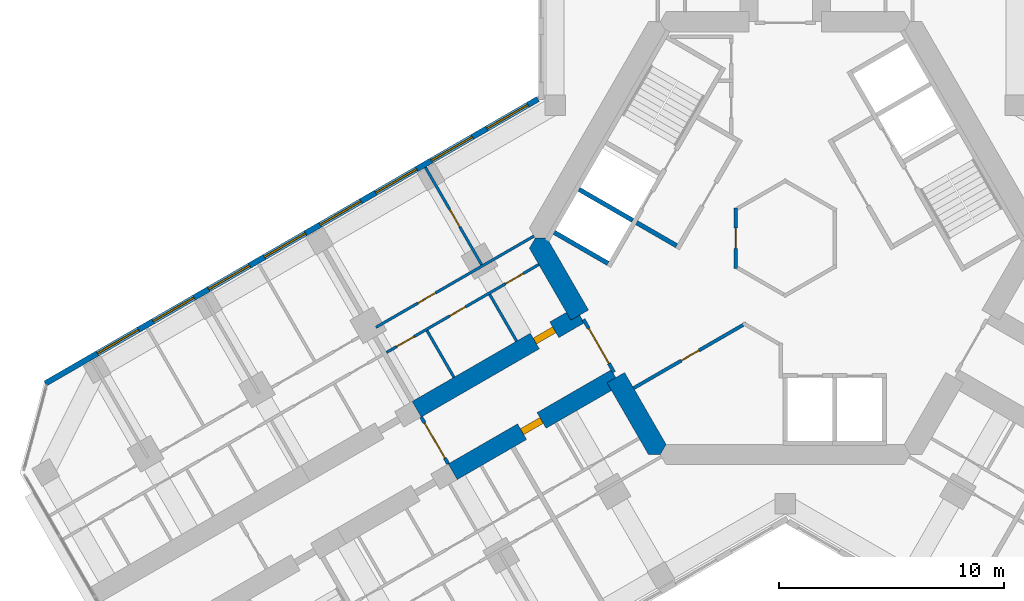
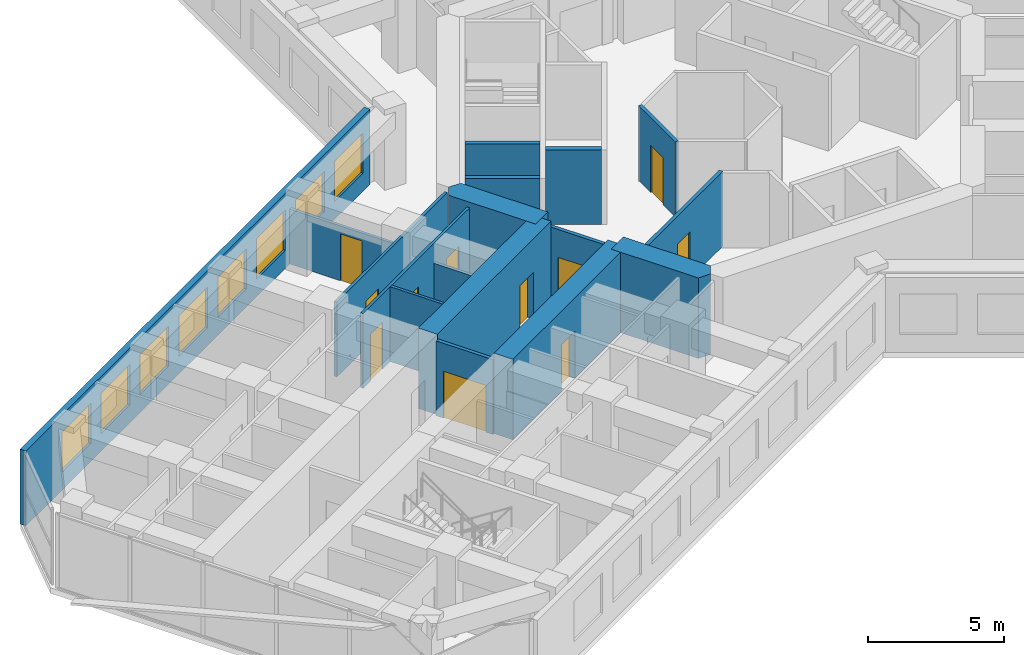
# One storey, part 12 of 19: 17 walls, 11 doors, 8 windows, 19 openings.
"""IFC4 building model written with IfcOpenShell, lengths in metres."""

from ifc_helpers import new_model, si_unit, direction, frame, frame_2d, origin, place, context, subcontext, project, spatial, polyline, rectangle, outline, extrude, material, layer, layer_set, type_object, element, fill, save


model = new_model("IFC4")

# Units and contexts
model_context = context("Model", 3, precision=1e-05, world=origin(), true_north=direction((0.0, 1.0)))
body_context = subcontext(model_context, "Body", "Model", "MODEL_VIEW")
ifc_project = project(units=[si_unit("LENGTHUNIT", "METRE"), si_unit("AREAUNIT", "SQUARE_METRE"), si_unit("VOLUMEUNIT", "CUBIC_METRE"), si_unit("PLANEANGLEUNIT", "RADIAN"), si_unit("MASSUNIT", "GRAM", prefix="KILO")], contexts=[model_context])

# Site, building, storey
site_placement = place(None, origin())
site = spatial("IfcSite", under=ifc_project, at=site_placement, CompositionType="ELEMENT")
building_placement = place(site_placement, origin())
building = spatial("IfcBuilding", under=site, at=building_placement, Name="Kosmar Iwan School Tower", CompositionType="ELEMENT")
storey_placement = place(building_placement, frame((0.0, 0.0, 145.39990234375)))
storey = spatial("IfcBuildingStorey", under=building, at=storey_placement, Name="L36", CompositionType="ELEMENT", Elevation=145.39990234375)

# Wall, opening, door
ifc_material_1 = material(Name="Gypsum board on steel studs, fire-rated", Category="steel")
ifc_layer_1 = layer(ifc_material_1, 0.14990234375)
ifc_layer_set_1 = layer_set([ifc_layer_1], Name="Core room partition 150")
wall_type_1 = type_object("IfcWallType", Name="Core room partition 150", PredefinedType="PARTITIONING", material=ifc_layer_set_1)
wall_1_placement = place(storey_placement, frame((-6.728515625, -6.656005859375, 0.0), z_axis=(0.0, 0.0, 1.0), x_axis=(0.866017062469, 0.500014447304, 0.0)))
wall_1 = element("IfcWall", 1, at=wall_1_placement, inside=storey, type_object=wall_type_1, Name="Core room partition L36-CW5", PredefinedType="PARTITIONING", context=body_context, shape_type="SweptSolid", body=[
    extrude(rectangle(XDim=5.765869140625, YDim=0.14990234375, at=frame_2d((2.8828125, 0.0))), origin(), (0.0, 0.0, 1.0), 3.35009765625),
])
opening_1_placement = place(wall_1_placement, frame((2.452880859375, 0.0, 0.0)))
opening_1 = element("IfcOpeningElement", 2, at=opening_1_placement, cuts=wall_1, Name="Opening D14", PredefinedType="OPENING", context=body_context, shape_type="SweptSolid", body=[
    extrude(rectangle(XDim=0.89990234375, YDim=2.10009765625, at=frame_2d((0.449951171875, 1.050048828125))), frame((0.0, 0.0869140625, 0.0), z_axis=(0.0, -1.0, 0.0), x_axis=(1.0, 0.0, 0.0)), (0.0, 0.0, 1.0), 0.173828125),
])
ifc_material_2 = material(Name="Timber fire door in steel frame", Category="steel")
door_type_1 = type_object("IfcDoorType", Name="Core room door 900x2100", OperationType="SINGLE_SWING_LEFT", PredefinedType="DOOR", material=ifc_material_2)
door_1_placement = place(opening_1_placement, origin())
door_1 = element("IfcDoor", 3, at=door_1_placement, inside=storey, type_object=door_type_1, Name="Refuse and recycling room door L36 3", OperationType="SINGLE_SWING_RIGHT", OverallHeight=2.10009765625, OverallWidth=0.89990234375, PredefinedType="DOOR", context=body_context, shape_type="SweptSolid", body=[
    extrude(rectangle(XDim=0.89990234375, YDim=2.10009765625, at=frame_2d((0.449951171875, 1.050048828125))), frame((0.0, 0.02490234375, 0.0), z_axis=(0.0, -1.0, 0.0), x_axis=(1.0, 0.0, 0.0)), (0.0, 0.0, 1.0), 0.050048828125),
])
fill(opening_1, door_1)

wall_2_placement = place(storey_placement, frame((-2.199951171875, -1.34521484375, 0.0), z_axis=(0.0, 0.0, 1.0), x_axis=(0.0, 1.0, 0.0)))
wall_2 = element("IfcWall", 4, at=wall_2_placement, inside=storey, type_object=wall_type_1, Name="Core room partition L36-CW10", PredefinedType="PARTITIONING", context=body_context, shape_type="SweptSolid", body=[
    extrude(rectangle(XDim=2.6904296875, YDim=0.14990234375, at=frame_2d((1.34521484375, 0.0))), origin(), (0.0, 0.0, 1.0), 3.35009765625),
])
opening_2_placement = place(wall_2_placement, frame((0.89501953125, 0.0, 0.0)))
opening_2 = element("IfcOpeningElement", 5, at=opening_2_placement, cuts=wall_2, Name="Opening D14", PredefinedType="OPENING", context=body_context, shape_type="SweptSolid", body=[
    extrude(rectangle(XDim=0.89990234375, YDim=2.10009765625, at=frame_2d((0.449951171875, 1.050048828125))), frame((0.0, 0.0869140625, 0.0), z_axis=(0.0, -1.0, 0.0), x_axis=(1.0, 0.0, 0.0)), (0.0, 0.0, 1.0), 0.173828125),
])
door_2_placement = place(opening_2_placement, origin())
door_2 = element("IfcDoor", 6, at=door_2_placement, inside=storey, type_object=door_type_1, Name="Bulky waste store door L36 4", OperationType="SINGLE_SWING_LEFT", OverallHeight=2.10009765625, OverallWidth=0.89990234375, PredefinedType="DOOR", context=body_context, shape_type="SweptSolid", body=[
    extrude(rectangle(XDim=0.89990234375, YDim=2.10009765625, at=frame_2d((0.449951171875, 1.050048828125))), frame((0.0, 0.02490234375, 0.0), z_axis=(0.0, -1.0, 0.0), x_axis=(1.0, 0.0, 0.0)), (0.0, 0.0, 1.0), 0.050048828125),
])
fill(opening_2, door_2)

# Walls
ifc_material_3 = material(Name="Concrete C50/60", Category="concrete")
ifc_layer_2 = layer(ifc_material_3, 0.89990234375)
ifc_layer_set_2 = layer_set([ifc_layer_2], Name="Core wall 900")
wall_type_2 = type_object("IfcWallType", Name="Core wall 900", PredefinedType="SHEAR", material=ifc_layer_set_2)
wall_3_placement = place(storey_placement, origin())
element("IfcWall", 7, at=wall_3_placement, inside=storey, type_object=wall_type_2, Name="Core wall F210a", PredefinedType="SHEAR", context=body_context, shape_type="SweptSolid", body=[
    extrude(outline(polyline([(-9.503662109375, -3.639404296875), (-8.72412109375, -3.189453125), (-10.5654296875, 0.0), (-11.085205078125, 0.0), (-11.344970703125, -0.449951171875), (-9.503662109375, -3.639404296875)])), origin(), (0.0, 0.0, 1.0), 3.60009765625),
])
wall_4_placement = place(storey_placement, origin())
element("IfcWall", 8, at=wall_4_placement, inside=storey, type_object=wall_type_2, Name="Core wall F210b", PredefinedType="SHEAR", context=body_context, shape_type="SweptSolid", body=[
    extrude(outline(polyline([(-6.062255859375, -9.60009765625), (-5.54248046875, -9.60009765625), (-5.28271484375, -9.14990234375), (-7.1240234375, -5.960693359375), (-7.903564453125, -6.41064453125), (-6.062255859375, -9.60009765625)])), origin(), (0.0, 0.0, 1.0), 3.60009765625),
])

# Wall, opening, door
ifc_material_4 = material(Name="Concrete C50/60", Category="concrete")
ifc_layer_3 = layer(ifc_material_4, 0.800048828125)
ifc_layer_set_3 = layer_set([ifc_layer_3], Name="Corridor buttress wall 800")
wall_type_3 = type_object("IfcWallType", Name="Corridor buttress wall 800", PredefinedType="SHEAR", material=ifc_layer_set_3)
wall_5_placement = place(storey_placement, frame((-7.513916015625, -6.185546875, 0.0), z_axis=(0.0, 0.0, 1.0), x_axis=(-0.866019549707, -0.500010139422, 0.0)))
wall_5 = element("IfcWall", 9, at=wall_5_placement, inside=storey, type_object=wall_type_3, Name="Corridor wall BL", PredefinedType="SHEAR", context=body_context, shape_type="SweptSolid", body=[
    extrude(rectangle(XDim=8.349853515625, YDim=0.800048828125, at=frame_2d((4.1748046875, 0.0))), origin(), (0.0, 0.0, 1.0), 3.60009765625),
])
opening_3_placement = place(wall_5_placement, frame((3.800048828125, 0.0, 0.0)))
opening_3 = element("IfcOpeningElement", 10, at=opening_3_placement, cuts=wall_5, Name="Opening D1", PredefinedType="OPENING", context=body_context, shape_type="SweptSolid", body=[
    extrude(rectangle(XDim=1.0, YDim=2.10009765625, at=frame_2d((0.5, 1.050048828125))), frame((0.0, 0.412109375, 0.0), z_axis=(0.0, -1.0, 0.0), x_axis=(1.0, 0.0, 0.0)), (0.0, 0.0, 1.0), 0.823974609375),
])
ifc_material_5 = material(Name="Timber fire door in steel frame", Category="steel")
door_type_2 = type_object("IfcDoorType", Name="Flat entrance door 1000x2100", OperationType="SINGLE_SWING_LEFT", PredefinedType="DOOR", material=ifc_material_5)
door_3_placement = place(opening_3_placement, origin())
door_3 = element("IfcDoor", 11, at=door_3_placement, inside=storey, type_object=door_type_2, Name="Flat L36-BL1 entrance door", OperationType="SINGLE_SWING_LEFT", OverallHeight=2.10009765625, OverallWidth=1.0, PredefinedType="DOOR", context=body_context, shape_type="SweptSolid", body=[
    extrude(rectangle(XDim=1.0, YDim=2.10009765625, at=frame_2d((0.5, 1.050048828125))), frame((0.0, 0.14990234375, 0.0), z_axis=(0.0, -1.0, 0.0), x_axis=(1.0, 0.0, 0.0)), (0.0, 0.0, 1.0), 0.300048828125),
])
fill(opening_3, door_3)

wall_6_placement = place(storey_placement, frame((-9.11376953125, -3.414306640625, 0.0), z_axis=(0.0, 0.0, 1.0), x_axis=(-0.866026859388, -0.499997478812, 0.0)))
wall_6 = element("IfcWall", 12, at=wall_6_placement, inside=storey, type_object=wall_type_3, Name="Corridor wall BR", PredefinedType="SHEAR", context=body_context, shape_type="SweptSolid", body=[
    extrude(rectangle(XDim=8.35009765625, YDim=0.800048828125, at=frame_2d((4.175048828125, 0.0))), origin(), (0.0, 0.0, 1.0), 3.60009765625),
])
opening_4_placement = place(wall_6_placement, frame((1.300048828125, 0.0, 0.0)))
opening_4 = element("IfcOpeningElement", 13, at=opening_4_placement, cuts=wall_6, Name="Opening D1", PredefinedType="OPENING", context=body_context, shape_type="SweptSolid", body=[
    extrude(rectangle(XDim=1.0, YDim=2.10009765625, at=frame_2d((0.5, 1.050048828125))), frame((0.0, 0.412109375, 0.0), z_axis=(0.0, -1.0, 0.0), x_axis=(1.0, 0.0, 0.0)), (0.0, 0.0, 1.0), 0.823974609375),
])
door_4_placement = place(opening_4_placement, origin())
door_4 = element("IfcDoor", 14, at=door_4_placement, inside=storey, type_object=door_type_2, Name="Flat L36-BR1 entrance door", OperationType="SINGLE_SWING_LEFT", OverallHeight=2.10009765625, OverallWidth=1.0, PredefinedType="DOOR", context=body_context, shape_type="SweptSolid", body=[
    extrude(rectangle(XDim=1.0, YDim=2.10009765625, at=frame_2d((0.5, 1.050048828125))), frame((0.0, 0.14990234375, 0.0), z_axis=(0.0, -1.0, 0.0), x_axis=(1.0, 0.0, 0.0)), (0.0, 0.0, 1.0), 0.300048828125),
])
fill(opening_4, door_4)

ifc_material_6 = material(Name="Gypsum board on steel studs, fire-rated", Category="steel")
ifc_layer_4 = layer(ifc_material_6, 0.14990234375)
ifc_layer_set_4 = layer_set([ifc_layer_4], Name="Corridor end wall 150")
wall_type_4 = type_object("IfcWallType", Name="Corridor end wall 150", PredefinedType="PARTITIONING", material=ifc_layer_set_4)
wall_7_placement = place(storey_placement, frame((-16.145263671875, -7.935791015625, 0.0), z_axis=(0.0, 0.0, 1.0), x_axis=(0.500077600433, -0.865980596518, 0.0)))
wall_7 = element("IfcWall", 15, at=wall_7_placement, inside=storey, type_object=wall_type_4, Name="Partition L36-B-HW", PredefinedType="PARTITIONING", context=body_context, shape_type="SweptSolid", body=[
    extrude(rectangle(XDim=2.39990234375, YDim=0.14990234375, at=frame_2d((1.199951171875, 0.0))), origin(), (0.0, 0.0, 1.0), 3.35009765625),
])
opening_5_placement = place(wall_7_placement, frame((0.300048828125, 0.0, 0.0)))
opening_5 = element("IfcOpeningElement", 16, at=opening_5_placement, cuts=wall_7, Name="Opening D9", PredefinedType="OPENING", context=body_context, shape_type="SweptSolid", body=[
    extrude(rectangle(XDim=1.800048828125, YDim=2.10009765625, at=frame_2d((0.89990234375, 1.050048828125))), frame((0.0, 0.0869140625, 0.0), z_axis=(0.0, -1.0, 0.0), x_axis=(1.0, 0.0, 0.0)), (0.0, 0.0, 1.0), 0.173828125),
])
ifc_material_7 = material(Name="Steel framed glazed smoke door", Category="steel")
door_type_3 = type_object("IfcDoorType", Name="Corridor smoke door pair 1800x2100", OperationType="DOUBLE_DOOR_DOUBLE_SWING", PredefinedType="DOOR", material=ifc_material_7)
door_5_placement = place(opening_5_placement, origin())
door_5 = element("IfcDoor", 17, at=door_5_placement, inside=storey, type_object=door_type_3, Name="Hashti vestibule smoke doors L36-B", OperationType="DOUBLE_DOOR_DOUBLE_SWING", OverallHeight=2.10009765625, OverallWidth=1.800048828125, PredefinedType="DOOR", context=body_context, shape_type="SweptSolid", body=[
    extrude(rectangle(XDim=1.800048828125, YDim=2.10009765625, at=frame_2d((0.89990234375, 1.050048828125))), frame((0.0, 0.02490234375, 0.0), z_axis=(0.0, -1.0, 0.0), x_axis=(1.0, 0.0, 0.0)), (0.0, 0.0, 1.0), 0.050048828125),
])
fill(opening_5, door_5)

ifc_material_8 = material(Name="Steel framed glazed screen", Category="steel")
ifc_layer_5 = layer(ifc_material_8, 0.14990234375)
ifc_layer_set_5 = layer_set([ifc_layer_5], Name="Corridor screen wall 150")
wall_type_5 = type_object("IfcWallType", Name="Corridor screen wall 150", PredefinedType="PARTITIONING", material=ifc_layer_set_5)
wall_8_placement = place(storey_placement, frame((-8.945556640625, -3.60595703125, 0.0), z_axis=(0.0, 0.0, 1.0), x_axis=(0.500048589285, -0.86599734893, 0.0)))
wall_8 = element("IfcWall", 18, at=wall_8_placement, inside=storey, type_object=wall_type_5, Name="Corridor screen B L36", PredefinedType="PARTITIONING", context=body_context, shape_type="SweptSolid", body=[
    extrude(rectangle(XDim=2.699951171875, YDim=0.14990234375, at=frame_2d((1.35009765625, 0.0))), origin(), (0.0, 0.0, 1.0), 3.35009765625),
])
opening_6_placement = place(wall_8_placement, frame((0.449951171875, 0.0, 0.0)))
opening_6 = element("IfcOpeningElement", 19, at=opening_6_placement, cuts=wall_8, Name="Opening D9", PredefinedType="OPENING", context=body_context, shape_type="SweptSolid", body=[
    extrude(rectangle(XDim=1.800048828125, YDim=2.10009765625, at=frame_2d((0.89990234375, 1.050048828125))), frame((0.0, 0.0869140625, 0.0), z_axis=(0.0, -1.0, 0.0), x_axis=(1.0, 0.0, 0.0)), (0.0, 0.0, 1.0), 0.173828125),
])
door_6_placement = place(opening_6_placement, origin())
door_6 = element("IfcDoor", 20, at=door_6_placement, inside=storey, type_object=door_type_3, Name="Corridor doors B L36", OperationType="DOUBLE_DOOR_DOUBLE_SWING", OverallHeight=2.10009765625, OverallWidth=1.800048828125, PredefinedType="DOOR", context=body_context, shape_type="SweptSolid", body=[
    extrude(rectangle(XDim=1.800048828125, YDim=2.10009765625, at=frame_2d((0.89990234375, 1.050048828125))), frame((0.0, 0.02490234375, 0.0), z_axis=(0.0, -1.0, 0.0), x_axis=(1.0, 0.0, 0.0)), (0.0, 0.0, 1.0), 0.050048828125),
])
fill(opening_6, door_6)

# Wall, openings, doors
ifc_material_9 = material(Name="Gypsum board on steel studs", Category="steel")
ifc_layer_6 = layer(ifc_material_9, 0.1201171875)
ifc_layer_set_6 = layer_set([ifc_layer_6], Name="Dwelling partition 120")
wall_type_6 = type_object("IfcWallType", Name="Dwelling partition 120", PredefinedType="PARTITIONING", material=ifc_layer_set_6)
wall_9_placement = place(storey_placement, frame((-10.928466796875, -1.171142578125, 0.0), z_axis=(0.0, 0.0, 1.0), x_axis=(-0.866021400173, -0.500006934395, 0.0)))
wall_9 = element("IfcWall", 21, at=wall_9_placement, inside=storey, type_object=wall_type_6, Name="Partition L36-BR1-W1", PredefinedType="PARTITIONING", context=body_context, shape_type="SweptSolid", body=[
    extrude(rectangle(XDim=7.80029296875, YDim=0.1201171875, at=frame_2d((3.900146484375, 0.0))), origin(), (0.0, 0.0, 1.0), 3.35009765625),
])
opening_7_placement = place(wall_9_placement, frame((0.800048828125, 0.0, 0.0)))
opening_7 = element("IfcOpeningElement", 22, at=opening_7_placement, cuts=wall_9, Name="Opening D2", PredefinedType="OPENING", context=body_context, shape_type="SweptSolid", body=[
    extrude(rectangle(XDim=0.89990234375, YDim=2.10009765625, at=frame_2d((0.449951171875, 1.050048828125))), frame((0.0, 0.072021484375, 0.0), z_axis=(0.0, -1.0, 0.0), x_axis=(1.0, 0.0, 0.0)), (0.0, 0.0, 1.0), 0.14404296875),
])
opening_8_placement = place(wall_9_placement, frame((3.755126953125, 0.0, 0.0)))
opening_8 = element("IfcOpeningElement", 23, at=opening_8_placement, cuts=wall_9, Name="Opening D3", PredefinedType="OPENING", context=body_context, shape_type="SweptSolid", body=[
    extrude(rectangle(XDim=0.800048828125, YDim=2.10009765625, at=frame_2d((0.39990234375, 1.050048828125))), frame((0.0, 0.072021484375, 0.0), z_axis=(0.0, -1.0, 0.0), x_axis=(1.0, 0.0, 0.0)), (0.0, 0.0, 1.0), 0.14404296875),
])
opening_9_placement = place(wall_9_placement, frame((6.380126953125, 0.0, 0.0)))
opening_9 = element("IfcOpeningElement", 24, at=opening_9_placement, cuts=wall_9, Name="Opening D2", PredefinedType="OPENING", context=body_context, shape_type="SweptSolid", body=[
    extrude(rectangle(XDim=0.89990234375, YDim=2.10009765625, at=frame_2d((0.449951171875, 1.050048828125))), frame((0.0, 0.072021484375, 0.0), z_axis=(0.0, -1.0, 0.0), x_axis=(1.0, 0.0, 0.0)), (0.0, 0.0, 1.0), 0.14404296875),
])
ifc_material_10 = material(Name="Timber door in timber frame", Category="wood")
door_type_4 = type_object("IfcDoorType", Name="Internal door 900x2100", OperationType="SINGLE_SWING_LEFT", PredefinedType="DOOR", material=ifc_material_10)
door_7_placement = place(opening_7_placement, origin())
door_7 = element("IfcDoor", 25, at=door_7_placement, inside=storey, type_object=door_type_4, Name="Entrance hall door L36-BR1-S1", OperationType="SINGLE_SWING_RIGHT", OverallHeight=2.10009765625, OverallWidth=0.89990234375, PredefinedType="DOOR", context=body_context, shape_type="SweptSolid", body=[
    extrude(rectangle(XDim=0.89990234375, YDim=2.10009765625, at=frame_2d((0.449951171875, 1.050048828125))), frame((0.0, 0.02490234375, 0.0), z_axis=(0.0, -1.0, 0.0), x_axis=(1.0, 0.0, 0.0)), (0.0, 0.0, 1.0), 0.050048828125),
])
fill(opening_7, door_7)
door_8_placement = place(opening_9_placement, origin())
door_8 = element("IfcDoor", 26, at=door_8_placement, inside=storey, type_object=door_type_4, Name="Pantry door L36-BR1-S3", OperationType="SINGLE_SWING_RIGHT", OverallHeight=2.10009765625, OverallWidth=0.89990234375, PredefinedType="DOOR", context=body_context, shape_type="SweptSolid", body=[
    extrude(rectangle(XDim=0.89990234375, YDim=2.10009765625, at=frame_2d((0.449951171875, 1.050048828125))), frame((0.0, 0.02490234375, 0.0), z_axis=(0.0, -1.0, 0.0), x_axis=(1.0, 0.0, 0.0)), (0.0, 0.0, 1.0), 0.050048828125),
])
fill(opening_9, door_8)
ifc_material_11 = material(Name="Timber door in timber frame", Category="wood")
door_type_5 = type_object("IfcDoorType", Name="Sanitary room door 800x2100", OperationType="SINGLE_SWING_LEFT", PredefinedType="DOOR", material=ifc_material_11)
door_9_placement = place(opening_8_placement, origin())
door_9 = element("IfcDoor", 27, at=door_9_placement, inside=storey, type_object=door_type_5, Name="Bathroom door L36-BR1-S2", OperationType="SINGLE_SWING_LEFT", OverallHeight=2.10009765625, OverallWidth=0.800048828125, PredefinedType="DOOR", context=body_context, shape_type="SweptSolid", body=[
    extrude(rectangle(XDim=0.800048828125, YDim=2.10009765625, at=frame_2d((0.39990234375, 1.050048828125))), frame((0.0, 0.02490234375, 0.0), z_axis=(0.0, -1.0, 0.0), x_axis=(1.0, 0.0, 0.0)), (0.0, 0.0, 1.0), 0.050048828125),
])
fill(opening_8, door_9)

# Wall, opening, door
wall_10_placement = place(storey_placement, frame((-11.138916015625, 0.093017578125, 0.0), z_axis=(0.0, 0.0, 1.0), x_axis=(-0.866017937352, -0.500012932018, 0.0)))
wall_10 = element("IfcWall", 28, at=wall_10_placement, inside=storey, type_object=wall_type_6, Name="Partition L36-BR1-W2", PredefinedType="PARTITIONING", context=body_context, shape_type="SweptSolid", body=[
    extrude(rectangle(XDim=8.099853515625, YDim=0.1201171875, at=frame_2d((4.0498046875, 0.0))), origin(), (0.0, 0.0, 1.0), 3.35009765625),
])
opening_10_placement = place(wall_10_placement, frame((5.050048828125, 0.0, 0.0)))
opening_10 = element("IfcOpeningElement", 29, at=opening_10_placement, cuts=wall_10, Name="Opening D2", PredefinedType="OPENING", context=body_context, shape_type="SweptSolid", body=[
    extrude(rectangle(XDim=0.89990234375, YDim=2.10009765625, at=frame_2d((0.449951171875, 1.050048828125))), frame((0.0, 0.072021484375, 0.0), z_axis=(0.0, -1.0, 0.0), x_axis=(1.0, 0.0, 0.0)), (0.0, 0.0, 1.0), 0.14404296875),
])
door_10_placement = place(opening_10_placement, origin())
door_10 = element("IfcDoor", 30, at=door_10_placement, inside=storey, type_object=door_type_4, Name="Studio living room door L36-BR1-F2", OperationType="SINGLE_SWING_RIGHT", OverallHeight=2.10009765625, OverallWidth=0.89990234375, PredefinedType="DOOR", context=body_context, shape_type="SweptSolid", body=[
    extrude(rectangle(XDim=0.89990234375, YDim=2.10009765625, at=frame_2d((0.449951171875, 1.050048828125))), frame((0.0, 0.02490234375, 0.0), z_axis=(0.0, -1.0, 0.0), x_axis=(1.0, 0.0, 0.0)), (0.0, 0.0, 1.0), 0.050048828125),
])
fill(opening_10, door_10)

wall_11_placement = place(storey_placement, frame((-13.4638671875, -1.179931640625, 0.0), z_axis=(0.0, 0.0, 1.0), x_axis=(-0.499975153383, 0.86603974851, 0.0)))
wall_11 = element("IfcWall", 31, at=wall_11_placement, inside=storey, type_object=wall_type_6, Name="Partition L36-BR1-X1", PredefinedType="PARTITIONING", context=body_context, shape_type="SweptSolid", body=[
    extrude(rectangle(XDim=4.989990234375, YDim=0.1201171875, at=frame_2d((2.4951171875, 0.0))), origin(), (0.0, 0.0, 1.0), 2.4501953125),
])
opening_11_placement = place(wall_11_placement, frame((1.93994140625, 0.0, 0.0)))
opening_11 = element("IfcOpeningElement", 32, at=opening_11_placement, cuts=wall_11, Name="Opening D2", PredefinedType="OPENING", context=body_context, shape_type="SweptSolid", body=[
    extrude(rectangle(XDim=0.89990234375, YDim=2.10009765625, at=frame_2d((0.449951171875, 1.050048828125))), frame((0.0, 0.072021484375, 0.0), z_axis=(0.0, -1.0, 0.0), x_axis=(1.0, 0.0, 0.0)), (0.0, 0.0, 1.0), 0.14404296875),
])
door_11_placement = place(opening_11_placement, origin())
door_11 = element("IfcDoor", 33, at=door_11_placement, inside=storey, type_object=door_type_4, Name="Kitchen and dining room door L36-BR1-F1", OperationType="SINGLE_SWING_LEFT", OverallHeight=2.10009765625, OverallWidth=0.89990234375, PredefinedType="DOOR", context=body_context, shape_type="SweptSolid", body=[
    extrude(rectangle(XDim=0.89990234375, YDim=2.10009765625, at=frame_2d((0.449951171875, 1.050048828125))), frame((0.0, 0.02490234375, 0.0), z_axis=(0.0, -1.0, 0.0), x_axis=(1.0, 0.0, 0.0)), (0.0, 0.0, 1.0), 0.050048828125),
])
fill(opening_11, door_11)

# Walls
wall_12_placement = place(storey_placement, frame((-11.911865234375, -4.56787109375, 0.0), z_axis=(0.0, 0.0, 1.0), x_axis=(-0.500017192868, 0.86601547725, 0.0)))
element("IfcWall", 34, at=wall_12_placement, inside=storey, type_object=wall_type_6, Name="Partition L36-BR1-Y1", PredefinedType="PARTITIONING", context=body_context, shape_type="SweptSolid", body=[
    extrude(rectangle(XDim=2.39013671875, YDim=0.1201171875, at=frame_2d((1.195068359375, 0.0))), origin(), (0.0, 0.0, 1.0), 2.4501953125),
])
wall_13_placement = place(storey_placement, frame((-14.69189453125, -6.1728515625, 0.0), z_axis=(0.0, 0.0, 1.0), x_axis=(-0.500017192868, 0.86601547725, 0.0)))
element("IfcWall", 35, at=wall_13_placement, inside=storey, type_object=wall_type_6, Name="Partition L36-BR1-Y2", PredefinedType="PARTITIONING", context=body_context, shape_type="SweptSolid", body=[
    extrude(rectangle(XDim=2.39013671875, YDim=0.1201171875, at=frame_2d((1.195068359375, 0.0))), origin(), (0.0, 0.0, 1.0), 3.35009765625),
])

# Wall, openings, windows
ifc_material_12 = material(Name="Black aluminium rainscreen on insulated framing", Category="aluminium")
ifc_layer_7 = layer(ifc_material_12, 0.25)
ifc_layer_set_7 = layer_set([ifc_layer_7], Name="External wall rainscreen 250")
wall_type_7 = type_object("IfcWallType", Name="External wall rainscreen 250", PredefinedType="SOLIDWALL", material=ifc_layer_set_7)
wall_14_placement = place(storey_placement, frame((-10.962890625, 6.170166015625, 0.0), z_axis=(0.0, 0.0, 1.0), x_axis=(-0.86602796634, -0.499995561497, 0.0)))
wall_14 = element("IfcWall", 36, at=wall_14_placement, inside=storey, type_object=wall_type_7, Name="External wall BR L36", PredefinedType="SOLIDWALL", context=body_context, shape_type="SweptSolid", body=[
    extrude(rectangle(XDim=25.226318359375, YDim=0.25, at=frame_2d((12.61328125, 0.0))), origin(), (0.0, 0.0, 1.0), 3.35009765625),
])
opening_12_placement = place(wall_14_placement, frame((0.51611328125, 0.0, 0.800048828125)))
opening_12 = element("IfcOpeningElement", 37, at=opening_12_placement, cuts=wall_14, Name="Opening W4", PredefinedType="OPENING", context=body_context, shape_type="SweptSolid", body=[
    extrude(rectangle(XDim=2.10009765625, YDim=1.800048828125, at=frame_2d((1.050048828125, 0.89990234375))), frame((0.0, 0.136962890625, 0.0), z_axis=(0.0, -1.0, 0.0), x_axis=(1.0, 0.0, 0.0)), (0.0, 0.0, 1.0), 0.27392578125),
])
opening_13_placement = place(wall_14_placement, frame((3.365966796875, 0.0, 0.800048828125)))
opening_13 = element("IfcOpeningElement", 38, at=opening_13_placement, cuts=wall_14, Name="Opening W4", PredefinedType="OPENING", context=body_context, shape_type="SweptSolid", body=[
    extrude(rectangle(XDim=2.10009765625, YDim=1.800048828125, at=frame_2d((1.050048828125, 0.89990234375))), frame((0.0, 0.136962890625, 0.0), z_axis=(0.0, -1.0, 0.0), x_axis=(1.0, 0.0, 0.0)), (0.0, 0.0, 1.0), 0.27392578125),
])
opening_14_placement = place(wall_14_placement, frame((6.216064453125, 0.0, 0.800048828125)))
opening_14 = element("IfcOpeningElement", 39, at=opening_14_placement, cuts=wall_14, Name="Opening W4", PredefinedType="OPENING", context=body_context, shape_type="SweptSolid", body=[
    extrude(rectangle(XDim=2.10009765625, YDim=1.800048828125, at=frame_2d((1.050048828125, 0.89990234375))), frame((0.0, 0.136962890625, 0.0), z_axis=(0.0, -1.0, 0.0), x_axis=(1.0, 0.0, 0.0)), (0.0, 0.0, 1.0), 0.27392578125),
])
opening_15_placement = place(wall_14_placement, frame((9.06591796875, 0.0, 0.800048828125)))
opening_15 = element("IfcOpeningElement", 40, at=opening_15_placement, cuts=wall_14, Name="Opening W4", PredefinedType="OPENING", context=body_context, shape_type="SweptSolid", body=[
    extrude(rectangle(XDim=2.10009765625, YDim=1.800048828125, at=frame_2d((1.050048828125, 0.89990234375))), frame((0.0, 0.136962890625, 0.0), z_axis=(0.0, -1.0, 0.0), x_axis=(1.0, 0.0, 0.0)), (0.0, 0.0, 1.0), 0.27392578125),
])
opening_16_placement = place(wall_14_placement, frame((11.916015625, 0.0, 0.800048828125)))
opening_16 = element("IfcOpeningElement", 41, at=opening_16_placement, cuts=wall_14, Name="Opening W4", PredefinedType="OPENING", context=body_context, shape_type="SweptSolid", body=[
    extrude(rectangle(XDim=2.10009765625, YDim=1.800048828125, at=frame_2d((1.050048828125, 0.89990234375))), frame((0.0, 0.136962890625, 0.0), z_axis=(0.0, -1.0, 0.0), x_axis=(1.0, 0.0, 0.0)), (0.0, 0.0, 1.0), 0.27392578125),
])
opening_17_placement = place(wall_14_placement, frame((14.76611328125, 0.0, 0.800048828125)))
opening_17 = element("IfcOpeningElement", 42, at=opening_17_placement, cuts=wall_14, Name="Opening W4", PredefinedType="OPENING", context=body_context, shape_type="SweptSolid", body=[
    extrude(rectangle(XDim=2.10009765625, YDim=1.800048828125, at=frame_2d((1.050048828125, 0.89990234375))), frame((0.0, 0.136962890625, 0.0), z_axis=(0.0, -1.0, 0.0), x_axis=(1.0, 0.0, 0.0)), (0.0, 0.0, 1.0), 0.27392578125),
])
opening_18_placement = place(wall_14_placement, frame((17.615966796875, 0.0, 0.800048828125)))
opening_18 = element("IfcOpeningElement", 43, at=opening_18_placement, cuts=wall_14, Name="Opening W4", PredefinedType="OPENING", context=body_context, shape_type="SweptSolid", body=[
    extrude(rectangle(XDim=2.10009765625, YDim=1.800048828125, at=frame_2d((1.050048828125, 0.89990234375))), frame((0.0, 0.136962890625, 0.0), z_axis=(0.0, -1.0, 0.0), x_axis=(1.0, 0.0, 0.0)), (0.0, 0.0, 1.0), 0.27392578125),
])
opening_19_placement = place(wall_14_placement, frame((20.466064453125, 0.0, 0.800048828125)))
opening_19 = element("IfcOpeningElement", 44, at=opening_19_placement, cuts=wall_14, Name="Opening W4", PredefinedType="OPENING", context=body_context, shape_type="SweptSolid", body=[
    extrude(rectangle(XDim=2.10009765625, YDim=1.800048828125, at=frame_2d((1.050048828125, 0.89990234375))), frame((0.0, 0.136962890625, 0.0), z_axis=(0.0, -1.0, 0.0), x_axis=(1.0, 0.0, 0.0)), (0.0, 0.0, 1.0), 0.27392578125),
])
ifc_material_13 = material(Name="Black aluminium frame with dark triple glazing", Category="aluminium")
window_type = type_object("IfcWindowType", Name="Window 2100x1800", PartitioningType="SINGLE_PANEL", PredefinedType="WINDOW", material=ifc_material_13)
window_1_placement = place(opening_12_placement, origin())
window_1 = element("IfcWindow", 45, at=window_1_placement, inside=storey, type_object=window_type, Name="Window BR L36 -1", OverallHeight=1.800048828125, OverallWidth=2.10009765625, PartitioningType="SINGLE_PANEL", PredefinedType="WINDOW", context=body_context, shape_type="SweptSolid", body=[
    extrude(rectangle(XDim=2.10009765625, YDim=1.800048828125, at=frame_2d((1.050048828125, 0.89990234375))), frame((0.0, 0.030029296875, 0.0), z_axis=(0.0, -1.0, 0.0), x_axis=(1.0, 0.0, 0.0)), (0.0, 0.0, 1.0), 0.06005859375),
])
fill(opening_12, window_1)
window_2_placement = place(opening_13_placement, origin())
window_2 = element("IfcWindow", 46, at=window_2_placement, inside=storey, type_object=window_type, Name="Window BR L36 0", OverallHeight=1.800048828125, OverallWidth=2.10009765625, PartitioningType="SINGLE_PANEL", PredefinedType="WINDOW", context=body_context, shape_type="SweptSolid", body=[
    extrude(rectangle(XDim=2.10009765625, YDim=1.800048828125, at=frame_2d((1.050048828125, 0.89990234375))), frame((0.0, 0.030029296875, 0.0), z_axis=(0.0, -1.0, 0.0), x_axis=(1.0, 0.0, 0.0)), (0.0, 0.0, 1.0), 0.06005859375),
])
fill(opening_13, window_2)
window_3_placement = place(opening_14_placement, origin())
window_3 = element("IfcWindow", 47, at=window_3_placement, inside=storey, type_object=window_type, Name="Window BR L36 1", OverallHeight=1.800048828125, OverallWidth=2.10009765625, PartitioningType="SINGLE_PANEL", PredefinedType="WINDOW", context=body_context, shape_type="SweptSolid", body=[
    extrude(rectangle(XDim=2.10009765625, YDim=1.800048828125, at=frame_2d((1.050048828125, 0.89990234375))), frame((0.0, 0.030029296875, 0.0), z_axis=(0.0, -1.0, 0.0), x_axis=(1.0, 0.0, 0.0)), (0.0, 0.0, 1.0), 0.06005859375),
])
fill(opening_14, window_3)
window_4_placement = place(opening_15_placement, origin())
window_4 = element("IfcWindow", 48, at=window_4_placement, inside=storey, type_object=window_type, Name="Window BR L36 2", OverallHeight=1.800048828125, OverallWidth=2.10009765625, PartitioningType="SINGLE_PANEL", PredefinedType="WINDOW", context=body_context, shape_type="SweptSolid", body=[
    extrude(rectangle(XDim=2.10009765625, YDim=1.800048828125, at=frame_2d((1.050048828125, 0.89990234375))), frame((0.0, 0.030029296875, 0.0), z_axis=(0.0, -1.0, 0.0), x_axis=(1.0, 0.0, 0.0)), (0.0, 0.0, 1.0), 0.06005859375),
])
fill(opening_15, window_4)
window_5_placement = place(opening_16_placement, origin())
window_5 = element("IfcWindow", 49, at=window_5_placement, inside=storey, type_object=window_type, Name="Window BR L36 3", OverallHeight=1.800048828125, OverallWidth=2.10009765625, PartitioningType="SINGLE_PANEL", PredefinedType="WINDOW", context=body_context, shape_type="SweptSolid", body=[
    extrude(rectangle(XDim=2.10009765625, YDim=1.800048828125, at=frame_2d((1.050048828125, 0.89990234375))), frame((0.0, 0.030029296875, 0.0), z_axis=(0.0, -1.0, 0.0), x_axis=(1.0, 0.0, 0.0)), (0.0, 0.0, 1.0), 0.06005859375),
])
fill(opening_16, window_5)
window_6_placement = place(opening_17_placement, origin())
window_6 = element("IfcWindow", 50, at=window_6_placement, inside=storey, type_object=window_type, Name="Window BR L36 4", OverallHeight=1.800048828125, OverallWidth=2.10009765625, PartitioningType="SINGLE_PANEL", PredefinedType="WINDOW", context=body_context, shape_type="SweptSolid", body=[
    extrude(rectangle(XDim=2.10009765625, YDim=1.800048828125, at=frame_2d((1.050048828125, 0.89990234375))), frame((0.0, 0.030029296875, 0.0), z_axis=(0.0, -1.0, 0.0), x_axis=(1.0, 0.0, 0.0)), (0.0, 0.0, 1.0), 0.06005859375),
])
fill(opening_17, window_6)
window_7_placement = place(opening_18_placement, origin())
window_7 = element("IfcWindow", 51, at=window_7_placement, inside=storey, type_object=window_type, Name="Window BR L36 5", OverallHeight=1.800048828125, OverallWidth=2.10009765625, PartitioningType="SINGLE_PANEL", PredefinedType="WINDOW", context=body_context, shape_type="SweptSolid", body=[
    extrude(rectangle(XDim=2.10009765625, YDim=1.800048828125, at=frame_2d((1.050048828125, 0.89990234375))), frame((0.0, 0.030029296875, 0.0), z_axis=(0.0, -1.0, 0.0), x_axis=(1.0, 0.0, 0.0)), (0.0, 0.0, 1.0), 0.06005859375),
])
fill(opening_18, window_7)
window_8_placement = place(opening_19_placement, origin())
window_8 = element("IfcWindow", 52, at=window_8_placement, inside=storey, type_object=window_type, Name="Window BR L36 6", OverallHeight=1.800048828125, OverallWidth=2.10009765625, PartitioningType="SINGLE_PANEL", PredefinedType="WINDOW", context=body_context, shape_type="SweptSolid", body=[
    extrude(rectangle(XDim=2.10009765625, YDim=1.800048828125, at=frame_2d((1.050048828125, 0.89990234375))), frame((0.0, 0.030029296875, 0.0), z_axis=(0.0, -1.0, 0.0), x_axis=(1.0, 0.0, 0.0)), (0.0, 0.0, 1.0), 0.06005859375),
])
fill(opening_19, window_8)

# Walls
ifc_material_14 = material(Name="Concrete block masonry", Category="masonry")
ifc_layer_8 = layer(ifc_material_14, 0.199951171875)
ifc_layer_set_8 = layer_set([ifc_layer_8], Name="Fire lobby wall 200")
wall_type_8 = type_object("IfcWallType", Name="Fire lobby wall 200", PredefinedType="PARTITIONING", material=ifc_layer_set_8)
wall_15_placement = place(storey_placement, frame((-4.814208984375, -0.33837890625, 0.0), z_axis=(0.0, 0.0, 1.0), x_axis=(-0.865969381856, 0.500097020274, 0.0)))
element("IfcWall", 53, at=wall_15_placement, inside=storey, type_object=wall_type_8, Name="Firefighting lobby wall ST2", PredefinedType="PARTITIONING", context=body_context, shape_type="SweptSolid", body=[
    extrude(rectangle(XDim=2.0498046875, YDim=0.199951171875, at=frame_2d((1.02490234375, 0.0))), origin(), (0.0, 0.0, 1.0), 3.35009765625),
])
ifc_material_15 = material(Name="Concrete C50/60", Category="concrete")
ifc_layer_9 = layer(ifc_material_15, 0.199951171875)
ifc_layer_set_9 = layer_set([ifc_layer_9], Name="Lift shaft wall 200")
wall_type_9 = type_object("IfcWallType", Name="Lift shaft wall 200", PredefinedType="SHEAR", material=ifc_layer_set_9)
for number, where, z_axis, x_axis, name in (
    (54, (-6.7626953125, 0.78662109375, 0.0), (0.0, 0.0, 1.0), (-0.866027397988, 0.499996545922, 0.0), "Lift shaft wall AB 1"),
    (55, (-7.862548828125, -1.118408203125, 0.0), (0.0, 0.0, 1.0), (-0.866027397988, 0.499996545922, 0.0), "Lift shaft wall AB 2"),
):
    element("IfcWall", number, at=place(storey_placement, frame(where, z_axis=z_axis, x_axis=x_axis)), inside=storey, type_object=wall_type_9, Name=name, PredefinedType="SHEAR", context=body_context, shape_type="SweptSolid", body=[
        extrude(rectangle(XDim=2.75, YDim=0.199951171875, at=frame_2d((1.375, 0.0))), origin(), (0.0, 0.0, 1.0), 3.60009765625),
    ])

save(model, "model.ifc")
